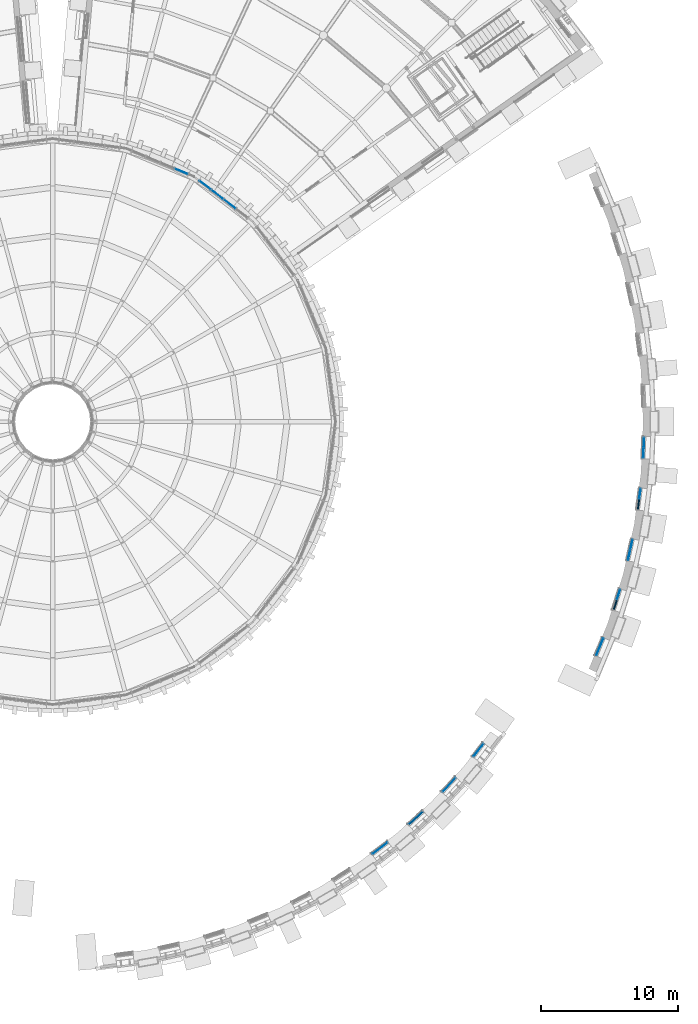
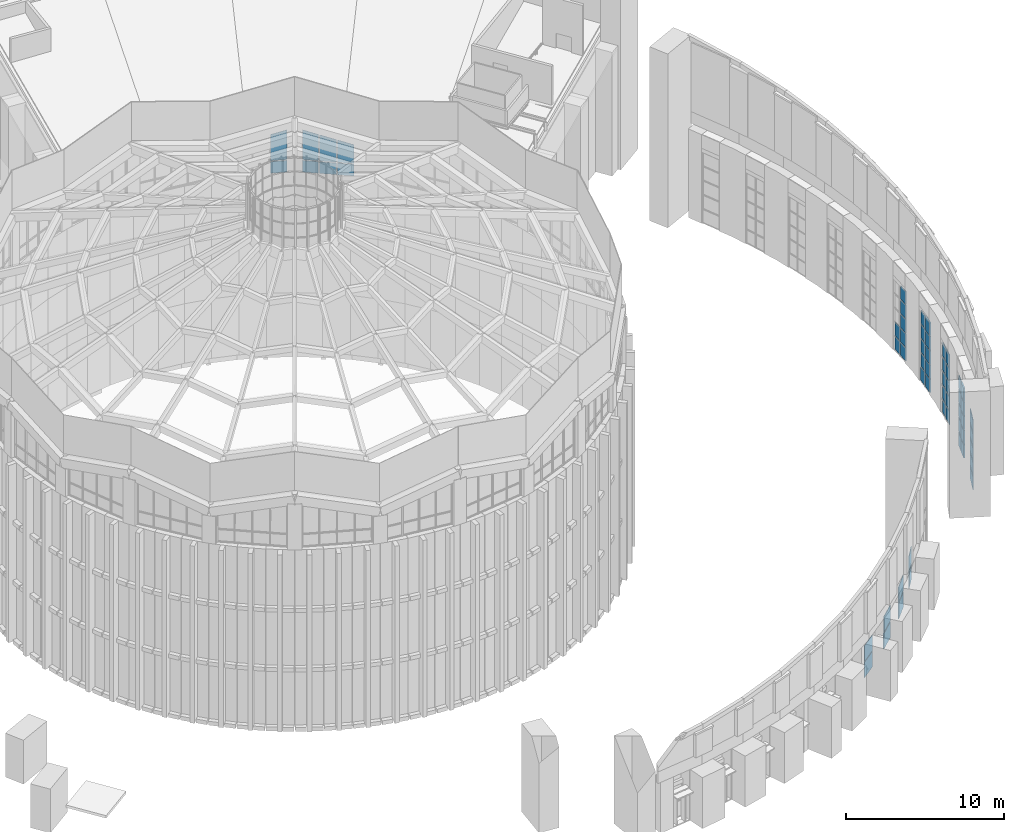
# One storey, part 45 of 82: 58 plates, 11 elements without a shape of their own.
"""IFC4 building model written with IfcOpenShell, lengths in metres."""

from ifc_helpers import new_model, si_unit, direction, frame, origin, origin_2d, place, context, subcontext, project, spatial, polyline, rectangle, outline, extrude, material, layer, layer_set, type_object, element, aggregate, save


model = new_model("IFC4")

# Units and contexts
model_context = context("Model", 3, precision=1e-05, world=origin(), true_north=direction((0.0, 1.0)))
body_context = subcontext(model_context, "Body", "Model", "MODEL_VIEW")
ifc_project = project(units=[si_unit("LENGTHUNIT", "METRE"), si_unit("AREAUNIT", "SQUARE_METRE"), si_unit("VOLUMEUNIT", "CUBIC_METRE"), si_unit("PLANEANGLEUNIT", "RADIAN"), si_unit("MASSUNIT", "GRAM", prefix="KILO")], contexts=[model_context])

# Site, building, storey
site_placement = place(None, origin())
site = spatial("IfcSite", under=ifc_project, at=site_placement, CompositionType="ELEMENT")
building_placement = place(site_placement, origin())
building = spatial("IfcBuilding", under=site, at=building_placement, Name="Volute Hill Aquarium", CompositionType="ELEMENT")
storey_placement = place(building_placement, frame((0.0, 0.0, 13.800048828125)))
storey = spatial("IfcBuildingStorey", under=building, at=storey_placement, Name="L04", CompositionType="ELEMENT", Elevation=13.800048828125)

# Curtain wall, plates
ifc_material_1 = material(Name="Aluminium", Category="aluminium")
ifc_layer_1 = layer(ifc_material_1, 0.25)
ifc_layer_set_1 = layer_set([ifc_layer_1], Name="Curtain wall niche S3 module 1489")
curtain_wall_type_1 = type_object("IfcCurtainWallType", Name="Curtain wall niche S3 module 1489", PredefinedType="NOTDEFINED", material=ifc_layer_set_1)
curtain_wall_1_placement = place(storey_placement, origin())
curtain_wall_1 = element("IfcCurtainWall", 1, at=curtain_wall_1_placement, inside=storey, type_object=curtain_wall_type_1, Name="Curtain wall CW S3 L04 7", PredefinedType="NOTDEFINED")
ifc_material_2 = material(Name="Glass, low-iron laminated", Category="glass")
ifc_layer_2 = layer(ifc_material_2, 0.035888671875)
ifc_layer_set_2 = layer_set([ifc_layer_2], Name="Curtain wall glass panel S3 36")
plate_type_1 = type_object("IfcPlateType", Name="Curtain wall glass panel S3 36", PredefinedType="CURTAIN_PANEL", material=ifc_layer_set_2)
plate_1_placement = place(storey_placement, frame((23.947021484375, -31.208251953125, 0.06005859375), z_axis=(0.0, 0.0, 1.0), x_axis=(0.793364531663, 0.608746843851, 0.0)))
plate_1 = element("IfcPlate", 2, at=plate_1_placement, type_object=plate_type_1, Name="CW panel 1.1", PredefinedType="CURTAIN_PANEL", context=body_context, shape_type="SweptSolid", body=[
    extrude(rectangle(XDim=1.369140625, YDim=0.035888671875, at=origin_2d()), origin(), (0.0, 0.0, 1.0), 1.20751953125),
])
plate_2_placement = place(storey_placement, frame((23.947021484375, -31.208251953125, 1.327392578125), z_axis=(0.0, 0.0, 1.0), x_axis=(0.793364531663, 0.608746843851, 0.0)))
plate_2 = element("IfcPlate", 3, at=plate_2_placement, type_object=plate_type_1, Name="CW panel 1.2", PredefinedType="CURTAIN_PANEL", context=body_context, shape_type="SweptSolid", body=[
    extrude(rectangle(XDim=1.369140625, YDim=0.035888671875, at=origin_2d()), origin(), (0.0, 0.0, 1.0), 1.20751953125),
])
aggregate(curtain_wall_1, [plate_1, plate_2])

# Curtain wall, plate
curtain_wall_2_placement = place(storey_placement, origin())
curtain_wall_2 = element("IfcCurtainWall", 4, at=curtain_wall_2_placement, inside=storey, type_object=curtain_wall_type_1, Name="Curtain wall CW S3 L04 8", PredefinedType="NOTDEFINED")
plate_3_placement = place(storey_placement, frame((26.57568359375, -29.00244140625, 1.327392578125), z_axis=(0.0, 0.0, 1.0), x_axis=(0.73725642731, 0.675613025622, 0.0)))
plate_3 = element("IfcPlate", 5, at=plate_3_placement, type_object=plate_type_1, Name="CW panel 1.2", PredefinedType="CURTAIN_PANEL", context=body_context, shape_type="SweptSolid", body=[
    extrude(rectangle(XDim=1.369140625, YDim=0.035888671875, at=origin_2d()), origin(), (0.0, 0.0, 1.0), 1.20751953125),
])

# Curtain wall, plates
curtain_wall_3_placement = place(storey_placement, origin())
curtain_wall_3 = element("IfcCurtainWall", 6, at=curtain_wall_3_placement, inside=storey, type_object=curtain_wall_type_1, Name="Curtain wall CW S3 L04 9", PredefinedType="NOTDEFINED")
plate_4_placement = place(storey_placement, frame((29.00244140625, -26.575927734375, 0.06005859375), z_axis=(0.0, 0.0, 1.0), x_axis=(0.675609375694, 0.737259772044, 0.0)))
plate_4 = element("IfcPlate", 7, at=plate_4_placement, type_object=plate_type_1, Name="CW panel 1.1", PredefinedType="CURTAIN_PANEL", context=body_context, shape_type="SweptSolid", body=[
    extrude(rectangle(XDim=1.369140625, YDim=0.035888671875, at=origin_2d()), origin(), (0.0, 0.0, 1.0), 1.213623046875),
])
plate_5_placement = place(storey_placement, frame((29.00244140625, -26.575927734375, 1.33349609375), z_axis=(0.0, 0.0, 1.0), x_axis=(0.675609375694, 0.737259772044, 0.0)))
plate_5 = element("IfcPlate", 8, at=plate_5_placement, type_object=plate_type_1, Name="CW panel 1.2", PredefinedType="CURTAIN_PANEL", context=body_context, shape_type="SweptSolid", body=[
    extrude(rectangle(XDim=1.369140625, YDim=0.035888671875, at=origin_2d()), origin(), (0.0, 0.0, 1.0), 1.213623046875),
])
aggregate(curtain_wall_3, [plate_4, plate_5])

# Curtain wall, plate
ifc_material_3 = material(Name="Aluminium", Category="aluminium")
ifc_layer_3 = layer(ifc_material_3, 0.25)
ifc_layer_set_3 = layer_set([ifc_layer_3], Name="Curtain wall niche S3 module 1289")
curtain_wall_type_2 = type_object("IfcCurtainWallType", Name="Curtain wall niche S3 module 1289", PredefinedType="NOTDEFINED", material=ifc_layer_set_3)
curtain_wall_4_placement = place(storey_placement, origin())
curtain_wall_4 = element("IfcCurtainWall", 9, at=curtain_wall_4_placement, inside=storey, type_object=curtain_wall_type_2, Name="Curtain wall CW S3 L04 10", PredefinedType="NOTDEFINED")
plate_6_placement = place(storey_placement, frame((31.1474609375, -24.0263671875, 1.32861328125), z_axis=(0.0, 0.0, 1.0), x_axis=(0.608745324064, 0.79336569779, 0.0)))
plate_6 = element("IfcPlate", 10, at=plate_6_placement, type_object=plate_type_1, Name="CW panel 1.2", PredefinedType="CURTAIN_PANEL", context=body_context, shape_type="SweptSolid", body=[
    extrude(rectangle(XDim=1.169189453125, YDim=0.035888671875, at=origin_2d()), origin(), (0.0, 0.0, 1.0), 1.20849609375),
])

# Curtain wall, plates
ifc_material_4 = material(Name="Aluminium", Category="aluminium")
ifc_layer_4 = layer(ifc_material_4, 0.25)
ifc_layer_set_4 = layer_set([ifc_layer_4], Name="Curtain wall niche S4 module 1437")
curtain_wall_type_3 = type_object("IfcCurtainWallType", Name="Curtain wall niche S4 module 1437", PredefinedType="NOTDEFINED", material=ifc_layer_set_4)
curtain_wall_5_placement = place(storey_placement, origin())
curtain_wall_5 = element("IfcCurtainWall", 11, at=curtain_wall_5_placement, inside=storey, type_object=curtain_wall_type_3, Name="Curtain wall CW S4 L04 1", PredefinedType="NOTDEFINED")
ifc_material_5 = material(Name="Glass, low-iron laminated", Category="glass")
ifc_layer_5 = layer(ifc_material_5, 0.0439453125)
ifc_layer_set_5 = layer_set([ifc_layer_5], Name="Curtain wall glass panel S4 44")
plate_type_2 = type_object("IfcPlateType", Name="Curtain wall glass panel S4 44", PredefinedType="CURTAIN_PANEL", material=ifc_layer_set_5)
plate_7_placement = place(storey_placement, frame((40.027099609375, -16.471435546875, 0.06005859375), z_axis=(0.0, 0.0, 1.0), x_axis=(0.38269714514, 0.923873852375, 0.0)))
plate_7 = element("IfcPlate", 12, at=plate_7_placement, type_object=plate_type_2, Name="CW panel 1.1", PredefinedType="CURTAIN_PANEL", context=body_context, shape_type="SweptSolid", body=[
    extrude(rectangle(XDim=1.317138671875, YDim=0.0439453125, at=origin_2d()), origin(), (0.0, 0.0, 1.0), 1.012451171875),
])
plate_8_placement = place(storey_placement, frame((40.027099609375, -16.471435546875, 1.132568359375), z_axis=(0.0, 0.0, 1.0), x_axis=(0.38269714514, 0.923873852375, 0.0)))
plate_8 = element("IfcPlate", 13, at=plate_8_placement, type_object=plate_type_2, Name="CW panel 1.2", PredefinedType="CURTAIN_PANEL", context=body_context, shape_type="SweptSolid", body=[
    extrude(rectangle(XDim=1.317138671875, YDim=0.0439453125, at=origin_2d()), origin(), (0.0, 0.0, 1.0), 1.04248046875),
])
plate_9_placement = place(storey_placement, frame((40.027099609375, -16.471435546875, 2.235107421875), z_axis=(0.0, 0.0, 1.0), x_axis=(0.38269714514, 0.923873852375, 0.0)))
plate_9 = element("IfcPlate", 14, at=plate_9_placement, type_object=plate_type_2, Name="CW panel 1.3", PredefinedType="CURTAIN_PANEL", context=body_context, shape_type="SweptSolid", body=[
    extrude(rectangle(XDim=1.317138671875, YDim=0.0439453125, at=origin_2d()), origin(), (0.0, 0.0, 1.0), 1.04248046875),
])
plate_10_placement = place(storey_placement, frame((40.027099609375, -16.471435546875, 3.337646484375), z_axis=(0.0, 0.0, 1.0), x_axis=(0.38269714514, 0.923873852375, 0.0)))
plate_10 = element("IfcPlate", 15, at=plate_10_placement, type_object=plate_type_2, Name="CW panel 1.4", PredefinedType="CURTAIN_PANEL", context=body_context, shape_type="SweptSolid", body=[
    extrude(rectangle(XDim=1.317138671875, YDim=0.0439453125, at=origin_2d()), origin(), (0.0, 0.0, 1.0), 1.04248046875),
])
plate_11_placement = place(storey_placement, frame((40.027099609375, -16.471435546875, 4.43994140625), z_axis=(0.0, 0.0, 1.0), x_axis=(0.38269714514, 0.923873852375, 0.0)))
plate_11 = element("IfcPlate", 16, at=plate_11_placement, type_object=plate_type_2, Name="CW panel 1.5", PredefinedType="CURTAIN_PANEL", context=body_context, shape_type="SweptSolid", body=[
    extrude(rectangle(XDim=1.317138671875, YDim=0.0439453125, at=origin_2d()), origin(), (0.0, 0.0, 1.0), 1.012451171875),
])
aggregate(curtain_wall_5, [plate_7, plate_8, plate_9, plate_10, plate_11])

ifc_material_6 = material(Name="Aluminium", Category="aluminium")
ifc_layer_6 = layer(ifc_material_6, 0.25)
ifc_layer_set_6 = layer_set([ifc_layer_6], Name="Curtain wall niche S4 module 819")
curtain_wall_type_4 = type_object("IfcCurtainWallType", Name="Curtain wall niche S4 module 819", PredefinedType="NOTDEFINED", material=ifc_layer_set_6)
curtain_wall_6_placement = place(storey_placement, origin())
curtain_wall_6 = element("IfcCurtainWall", 17, at=curtain_wall_6_placement, inside=storey, type_object=curtain_wall_type_4, Name="Curtain wall CW S4 L04 2", PredefinedType="NOTDEFINED")
plate_12_placement = place(storey_placement, frame((41.398681640625, -12.639404296875, 1.132080078125), z_axis=(0.0, 0.0, 1.0), x_axis=(0.300709576466, 0.953715759869, 0.0)))
plate_12 = element("IfcPlate", 18, at=plate_12_placement, type_object=plate_type_2, Name="CW panel 2.2", PredefinedType="CURTAIN_PANEL", context=body_context, shape_type="SweptSolid", body=[
    extrude(rectangle(XDim=0.728759765625, YDim=0.0439453125, at=origin_2d()), origin(), (0.0, 0.0, 1.0), 1.0419921875),
])
plate_13_placement = place(storey_placement, frame((41.398681640625, -12.639404296875, 2.234130859375), z_axis=(0.0, 0.0, 1.0), x_axis=(0.300709576466, 0.953715759869, 0.0)))
plate_13 = element("IfcPlate", 19, at=plate_13_placement, type_object=plate_type_2, Name="CW panel 2.3", PredefinedType="CURTAIN_PANEL", context=body_context, shape_type="SweptSolid", body=[
    extrude(rectangle(XDim=0.728759765625, YDim=0.0439453125, at=origin_2d()), origin(), (0.0, 0.0, 1.0), 1.0419921875),
])
plate_14_placement = place(storey_placement, frame((41.398681640625, -12.639404296875, 3.336181640625), z_axis=(0.0, 0.0, 1.0), x_axis=(0.300709576466, 0.953715759869, 0.0)))
plate_14 = element("IfcPlate", 20, at=plate_14_placement, type_object=plate_type_2, Name="CW panel 2.4", PredefinedType="CURTAIN_PANEL", context=body_context, shape_type="SweptSolid", body=[
    extrude(rectangle(XDim=0.728759765625, YDim=0.0439453125, at=origin_2d()), origin(), (0.0, 0.0, 1.0), 1.0419921875),
])
plate_15_placement = place(storey_placement, frame((41.398681640625, -12.639404296875, 4.4384765625), z_axis=(0.0, 0.0, 1.0), x_axis=(0.300709576466, 0.953715759869, 0.0)))
plate_15 = element("IfcPlate", 21, at=plate_15_placement, type_object=plate_type_2, Name="CW panel 2.5", PredefinedType="CURTAIN_PANEL", context=body_context, shape_type="SweptSolid", body=[
    extrude(rectangle(XDim=0.728759765625, YDim=0.0439453125, at=origin_2d()), origin(), (0.0, 0.0, 1.0), 1.011962890625),
])

curtain_wall_7_placement = place(storey_placement, origin())
curtain_wall_7 = element("IfcCurtainWall", 22, at=curtain_wall_7_placement, inside=storey, type_object=curtain_wall_type_4, Name="Curtain wall CW S4 L04 3", PredefinedType="NOTDEFINED")
plate_16_placement = place(storey_placement, frame((42.172119140625, -9.75341796875, 0.06005859375), z_axis=(0.0, 0.0, 1.0), x_axis=(0.216431869204, 0.976297724054, 0.0)))
plate_16 = element("IfcPlate", 23, at=plate_16_placement, type_object=plate_type_2, Name="CW panel 1.1", PredefinedType="CURTAIN_PANEL", context=body_context, shape_type="SweptSolid", body=[
    extrude(rectangle(XDim=0.728759765625, YDim=0.0439453125, at=origin_2d()), origin(), (0.0, 0.0, 1.0), 1.011962890625),
])
plate_17_placement = place(storey_placement, frame((42.172119140625, -9.75341796875, 1.132080078125), z_axis=(0.0, 0.0, 1.0), x_axis=(0.216431869204, 0.976297724054, 0.0)))
plate_17 = element("IfcPlate", 24, at=plate_17_placement, type_object=plate_type_2, Name="CW panel 1.2", PredefinedType="CURTAIN_PANEL", context=body_context, shape_type="SweptSolid", body=[
    extrude(rectangle(XDim=0.728759765625, YDim=0.0439453125, at=origin_2d()), origin(), (0.0, 0.0, 1.0), 1.0419921875),
])
plate_18_placement = place(storey_placement, frame((42.172119140625, -9.75341796875, 2.234130859375), z_axis=(0.0, 0.0, 1.0), x_axis=(0.216431869204, 0.976297724054, 0.0)))
plate_18 = element("IfcPlate", 25, at=plate_18_placement, type_object=plate_type_2, Name="CW panel 1.3", PredefinedType="CURTAIN_PANEL", context=body_context, shape_type="SweptSolid", body=[
    extrude(rectangle(XDim=0.728759765625, YDim=0.0439453125, at=origin_2d()), origin(), (0.0, 0.0, 1.0), 1.0419921875),
])
plate_19_placement = place(storey_placement, frame((42.172119140625, -9.75341796875, 3.336181640625), z_axis=(0.0, 0.0, 1.0), x_axis=(0.216431869204, 0.976297724054, 0.0)))
plate_19 = element("IfcPlate", 26, at=plate_19_placement, type_object=plate_type_2, Name="CW panel 1.4", PredefinedType="CURTAIN_PANEL", context=body_context, shape_type="SweptSolid", body=[
    extrude(rectangle(XDim=0.728759765625, YDim=0.0439453125, at=origin_2d()), origin(), (0.0, 0.0, 1.0), 1.0419921875),
])
plate_20_placement = place(storey_placement, frame((42.172119140625, -9.75341796875, 4.4384765625), z_axis=(0.0, 0.0, 1.0), x_axis=(0.216431869204, 0.976297724054, 0.0)))
plate_20 = element("IfcPlate", 27, at=plate_20_placement, type_object=plate_type_2, Name="CW panel 1.5", PredefinedType="CURTAIN_PANEL", context=body_context, shape_type="SweptSolid", body=[
    extrude(rectangle(XDim=0.728759765625, YDim=0.0439453125, at=origin_2d()), origin(), (0.0, 0.0, 1.0), 1.011962890625),
])
plate_21_placement = place(storey_placement, frame((42.3427734375, -8.9833984375, 0.06005859375), z_axis=(0.0, 0.0, 1.0), x_axis=(0.216431869204, 0.976297724054, 0.0)))
plate_21 = element("IfcPlate", 28, at=plate_21_placement, type_object=plate_type_2, Name="CW panel 2.1", PredefinedType="CURTAIN_PANEL", context=body_context, shape_type="SweptSolid", body=[
    extrude(rectangle(XDim=0.728759765625, YDim=0.0439453125, at=origin_2d()), origin(), (0.0, 0.0, 1.0), 1.011962890625),
])
plate_22_placement = place(storey_placement, frame((42.3427734375, -8.9833984375, 1.132080078125), z_axis=(0.0, 0.0, 1.0), x_axis=(0.216431869204, 0.976297724054, 0.0)))
plate_22 = element("IfcPlate", 29, at=plate_22_placement, type_object=plate_type_2, Name="CW panel 2.2", PredefinedType="CURTAIN_PANEL", context=body_context, shape_type="SweptSolid", body=[
    extrude(rectangle(XDim=0.728759765625, YDim=0.0439453125, at=origin_2d()), origin(), (0.0, 0.0, 1.0), 1.0419921875),
])
plate_23_placement = place(storey_placement, frame((42.3427734375, -8.9833984375, 2.234130859375), z_axis=(0.0, 0.0, 1.0), x_axis=(0.216431869204, 0.976297724054, 0.0)))
plate_23 = element("IfcPlate", 30, at=plate_23_placement, type_object=plate_type_2, Name="CW panel 2.3", PredefinedType="CURTAIN_PANEL", context=body_context, shape_type="SweptSolid", body=[
    extrude(rectangle(XDim=0.728759765625, YDim=0.0439453125, at=origin_2d()), origin(), (0.0, 0.0, 1.0), 1.0419921875),
])
plate_24_placement = place(storey_placement, frame((42.3427734375, -8.9833984375, 3.336181640625), z_axis=(0.0, 0.0, 1.0), x_axis=(0.216431869204, 0.976297724054, 0.0)))
plate_24 = element("IfcPlate", 31, at=plate_24_placement, type_object=plate_type_2, Name="CW panel 2.4", PredefinedType="CURTAIN_PANEL", context=body_context, shape_type="SweptSolid", body=[
    extrude(rectangle(XDim=0.728759765625, YDim=0.0439453125, at=origin_2d()), origin(), (0.0, 0.0, 1.0), 1.0419921875),
])
plate_25_placement = place(storey_placement, frame((42.3427734375, -8.9833984375, 4.4384765625), z_axis=(0.0, 0.0, 1.0), x_axis=(0.216431869204, 0.976297724054, 0.0)))
plate_25 = element("IfcPlate", 32, at=plate_25_placement, type_object=plate_type_2, Name="CW panel 2.5", PredefinedType="CURTAIN_PANEL", context=body_context, shape_type="SweptSolid", body=[
    extrude(rectangle(XDim=0.728759765625, YDim=0.0439453125, at=origin_2d()), origin(), (0.0, 0.0, 1.0), 1.011962890625),
])
aggregate(curtain_wall_7, [plate_16, plate_17, plate_18, plate_19, plate_20, plate_21, plate_22, plate_23, plate_24, plate_25])

curtain_wall_8_placement = place(storey_placement, origin())
curtain_wall_8 = element("IfcCurtainWall", 33, at=curtain_wall_8_placement, inside=storey, type_object=curtain_wall_type_4, Name="Curtain wall CW S4 L04 4", PredefinedType="NOTDEFINED")
plate_26_placement = place(storey_placement, frame((42.964599609375, -5.258544921875, 1.132080078125), z_axis=(0.0, 0.0, 1.0), x_axis=(0.130515808269, 0.991446228392, 0.0)))
plate_26 = element("IfcPlate", 34, at=plate_26_placement, type_object=plate_type_2, Name="CW panel 2.2", PredefinedType="CURTAIN_PANEL", context=body_context, shape_type="SweptSolid", body=[
    extrude(rectangle(XDim=0.728759765625, YDim=0.0439453125, at=origin_2d()), origin(), (0.0, 0.0, 1.0), 1.0419921875),
])
plate_27_placement = place(storey_placement, frame((42.964599609375, -5.258544921875, 2.234130859375), z_axis=(0.0, 0.0, 1.0), x_axis=(0.130515808269, 0.991446228392, 0.0)))
plate_27 = element("IfcPlate", 35, at=plate_27_placement, type_object=plate_type_2, Name="CW panel 2.3", PredefinedType="CURTAIN_PANEL", context=body_context, shape_type="SweptSolid", body=[
    extrude(rectangle(XDim=0.728759765625, YDim=0.0439453125, at=origin_2d()), origin(), (0.0, 0.0, 1.0), 1.0419921875),
])
plate_28_placement = place(storey_placement, frame((42.964599609375, -5.258544921875, 3.336181640625), z_axis=(0.0, 0.0, 1.0), x_axis=(0.130515808269, 0.991446228392, 0.0)))
plate_28 = element("IfcPlate", 36, at=plate_28_placement, type_object=plate_type_2, Name="CW panel 2.4", PredefinedType="CURTAIN_PANEL", context=body_context, shape_type="SweptSolid", body=[
    extrude(rectangle(XDim=0.728759765625, YDim=0.0439453125, at=origin_2d()), origin(), (0.0, 0.0, 1.0), 1.0419921875),
])
plate_29_placement = place(storey_placement, frame((42.964599609375, -5.258544921875, 4.4384765625), z_axis=(0.0, 0.0, 1.0), x_axis=(0.130515808269, 0.991446228392, 0.0)))
plate_29 = element("IfcPlate", 37, at=plate_29_placement, type_object=plate_type_2, Name="CW panel 2.5", PredefinedType="CURTAIN_PANEL", context=body_context, shape_type="SweptSolid", body=[
    extrude(rectangle(XDim=0.728759765625, YDim=0.0439453125, at=origin_2d()), origin(), (0.0, 0.0, 1.0), 1.011962890625),
])

curtain_wall_9_placement = place(storey_placement, origin())
curtain_wall_9 = element("IfcCurtainWall", 38, at=curtain_wall_9_placement, inside=storey, type_object=curtain_wall_type_4, Name="Curtain wall CW S4 L04 5", PredefinedType="NOTDEFINED")
plate_30_placement = place(storey_placement, frame((43.22509765625, -2.281982421875, 0.06005859375), z_axis=(0.0, 0.0, 1.0), x_axis=(0.043616644488, 0.999048341335, 0.0)))
plate_30 = element("IfcPlate", 39, at=plate_30_placement, type_object=plate_type_2, Name="CW panel 1.1", PredefinedType="CURTAIN_PANEL", context=body_context, shape_type="SweptSolid", body=[
    extrude(rectangle(XDim=0.728759765625, YDim=0.0439453125, at=origin_2d()), origin(), (0.0, 0.0, 1.0), 1.011962890625),
])
plate_31_placement = place(storey_placement, frame((43.22509765625, -2.281982421875, 1.132080078125), z_axis=(0.0, 0.0, 1.0), x_axis=(0.043616644488, 0.999048341335, 0.0)))
plate_31 = element("IfcPlate", 40, at=plate_31_placement, type_object=plate_type_2, Name="CW panel 1.2", PredefinedType="CURTAIN_PANEL", context=body_context, shape_type="SweptSolid", body=[
    extrude(rectangle(XDim=0.728759765625, YDim=0.0439453125, at=origin_2d()), origin(), (0.0, 0.0, 1.0), 1.0419921875),
])
plate_32_placement = place(storey_placement, frame((43.22509765625, -2.281982421875, 2.234130859375), z_axis=(0.0, 0.0, 1.0), x_axis=(0.043616644488, 0.999048341335, 0.0)))
plate_32 = element("IfcPlate", 41, at=plate_32_placement, type_object=plate_type_2, Name="CW panel 1.3", PredefinedType="CURTAIN_PANEL", context=body_context, shape_type="SweptSolid", body=[
    extrude(rectangle(XDim=0.728759765625, YDim=0.0439453125, at=origin_2d()), origin(), (0.0, 0.0, 1.0), 1.0419921875),
])
plate_33_placement = place(storey_placement, frame((43.22509765625, -2.281982421875, 3.336181640625), z_axis=(0.0, 0.0, 1.0), x_axis=(0.043616644488, 0.999048341335, 0.0)))
plate_33 = element("IfcPlate", 42, at=plate_33_placement, type_object=plate_type_2, Name="CW panel 1.4", PredefinedType="CURTAIN_PANEL", context=body_context, shape_type="SweptSolid", body=[
    extrude(rectangle(XDim=0.728759765625, YDim=0.0439453125, at=origin_2d()), origin(), (0.0, 0.0, 1.0), 1.0419921875),
])
plate_34_placement = place(storey_placement, frame((43.22509765625, -2.281982421875, 4.4384765625), z_axis=(0.0, 0.0, 1.0), x_axis=(0.043616644488, 0.999048341335, 0.0)))
plate_34 = element("IfcPlate", 43, at=plate_34_placement, type_object=plate_type_2, Name="CW panel 1.5", PredefinedType="CURTAIN_PANEL", context=body_context, shape_type="SweptSolid", body=[
    extrude(rectangle(XDim=0.728759765625, YDim=0.0439453125, at=origin_2d()), origin(), (0.0, 0.0, 1.0), 1.011962890625),
])
plate_35_placement = place(storey_placement, frame((43.259521484375, -1.493896484375, 0.06005859375), z_axis=(0.0, 0.0, 1.0), x_axis=(0.043616644488, 0.999048341335, 0.0)))
plate_35 = element("IfcPlate", 44, at=plate_35_placement, type_object=plate_type_2, Name="CW panel 2.1", PredefinedType="CURTAIN_PANEL", context=body_context, shape_type="SweptSolid", body=[
    extrude(rectangle(XDim=0.728759765625, YDim=0.0439453125, at=origin_2d()), origin(), (0.0, 0.0, 1.0), 1.011962890625),
])
plate_36_placement = place(storey_placement, frame((43.259521484375, -1.493896484375, 1.132080078125), z_axis=(0.0, 0.0, 1.0), x_axis=(0.043616644488, 0.999048341335, 0.0)))
plate_36 = element("IfcPlate", 45, at=plate_36_placement, type_object=plate_type_2, Name="CW panel 2.2", PredefinedType="CURTAIN_PANEL", context=body_context, shape_type="SweptSolid", body=[
    extrude(rectangle(XDim=0.728759765625, YDim=0.0439453125, at=origin_2d()), origin(), (0.0, 0.0, 1.0), 1.0419921875),
])
aggregate(curtain_wall_9, [plate_30, plate_31, plate_32, plate_33, plate_34, plate_35, plate_36])

ifc_material_7 = material(Name="Aluminium", Category="aluminium")
ifc_layer_7 = layer(ifc_material_7, 0.219970703125)
ifc_layer_set_7 = layer_set([ifc_layer_7], Name="Curtain wall DR clerestory module 1134")
curtain_wall_type_5 = type_object("IfcCurtainWallType", Name="Curtain wall DR clerestory module 1134", PredefinedType="NOTDEFINED", material=ifc_layer_set_7)
curtain_wall_10_placement = place(storey_placement, origin())
curtain_wall_10 = element("IfcCurtainWall", 46, at=curtain_wall_10_placement, inside=storey, type_object=curtain_wall_type_5, Name="Curtain wall CW DR clerestory c03", PredefinedType="NOTDEFINED")
ifc_material_8 = material(Name="Glass, low-iron laminated", Category="glass")
ifc_layer_8 = layer(ifc_material_8, 0.035888671875)
ifc_layer_set_8 = layer_set([ifc_layer_8], Name="Curtain wall glass panel clerestory 36")
plate_type_3 = type_object("IfcPlateType", Name="Curtain wall glass panel clerestory 36", PredefinedType="CURTAIN_PANEL", material=ifc_layer_set_8)
plate_37_placement = place(storey_placement, frame((12.943359375, 15.936767578125, 13.77001953125), z_axis=(0.0, 0.0, 1.0), x_axis=(-0.793354013303, 0.608760551921, 0.0)))
plate_37 = element("IfcPlate", 47, at=plate_37_placement, type_object=plate_type_3, Name="Panel DR clerestory 2.1", PredefinedType="CURTAIN_PANEL", context=body_context, shape_type="SweptSolid", body=[
    extrude(rectangle(XDim=1.06396484375, YDim=0.035888671875, at=origin_2d()), origin(), (0.0, 0.0, 1.0), 0.89501953125),
])
plate_38_placement = place(storey_placement, frame((13.37646484375, 15.626953125, 14.73486328125), z_axis=(0.608701247669, 0.793399515431, 0.0), x_axis=(-0.793399515431, 0.608701247669, 0.0)))
plate_38 = element("IfcPlate", 48, at=plate_38_placement, type_object=plate_type_3, Name="Panel DR clerestory 2.2", PredefinedType="CURTAIN_PANEL", context=body_context, shape_type="SweptSolid", body=[
    extrude(outline(polyline([(0.0, 0.0), (1.0640771324283154, 0.0), (1.0640771324283154, 1.7133789062500004), (0.0, 1.4377441406250002), (0.0, 0.0)])), origin(), (0.0, 0.0, -1.0), 0.035888671875),
])
plate_39_placement = place(storey_placement, frame((12.043701171875, 16.626953125, 13.77001953125), z_axis=(0.0, 0.0, 1.0), x_axis=(-0.793354013303, 0.608760551921, 0.0)))
plate_39 = element("IfcPlate", 49, at=plate_39_placement, type_object=plate_type_3, Name="Panel DR clerestory 3.1", PredefinedType="CURTAIN_PANEL", context=body_context, shape_type="SweptSolid", body=[
    extrude(rectangle(XDim=1.06396484375, YDim=0.035888671875, at=origin_2d()), origin(), (0.0, 0.0, 1.0), 0.89501953125),
])
plate_40_placement = place(storey_placement, frame((12.476806640625, 16.3173828125, 14.73486328125), z_axis=(0.608701247669, 0.793399515431, 0.0), x_axis=(-0.793399515431, 0.608701247669, 0.0)))
plate_40 = element("IfcPlate", 50, at=plate_40_placement, type_object=plate_type_3, Name="Panel DR clerestory 3.2", PredefinedType="CURTAIN_PANEL", context=body_context, shape_type="SweptSolid", body=[
    extrude(outline(polyline([(0.0, 0.0), (1.0640771324283154, 0.0), (1.0640771324283154, 2.0070800781250004), (0.0, 1.7314453125000004), (0.0, 0.0)])), origin(), (0.0, 0.0, -1.0), 0.035888671875),
])
plate_41_placement = place(storey_placement, frame((11.157958984375, 17.306640625, 13.77001953125), z_axis=(0.0, 0.0, 1.0), x_axis=(-0.793354013303, 0.608760551921, 0.0)))
plate_41 = element("IfcPlate", 51, at=plate_41_placement, type_object=plate_type_3, Name="Panel DR clerestory 4.1", PredefinedType="CURTAIN_PANEL", context=body_context, shape_type="SweptSolid", body=[
    extrude(rectangle(XDim=1.029052734375, YDim=0.035888671875, at=origin_2d()), origin(), (0.0, 0.0, 1.0), 0.89501953125),
])
plate_42_placement = place(storey_placement, frame((11.5771484375, 17.008056640625, 14.73486328125), z_axis=(0.608620818261, 0.793461214918, 0.0), x_axis=(-0.793461214918, 0.608620818261, 0.0)))
plate_42 = element("IfcPlate", 52, at=plate_42_placement, type_object=plate_type_3, Name="Panel DR clerestory 4.2", PredefinedType="CURTAIN_PANEL", context=body_context, shape_type="SweptSolid", body=[
    extrude(outline(polyline([(0.0, 0.0), (1.0289176517396483, 0.0), (1.0289176517396483, 2.291748046875), (0.0, 2.025146484375), (0.0, 0.0)])), origin(), (0.0, 0.0, -1.0), 0.035888671875),
])
aggregate(curtain_wall_10, [plate_37, plate_38, plate_39, plate_40, plate_41, plate_42])

curtain_wall_11_placement = place(storey_placement, origin())
curtain_wall_11 = element("IfcCurtainWall", 53, at=curtain_wall_11_placement, inside=storey, type_object=curtain_wall_type_5, Name="Curtain wall CW DR clerestory c04", PredefinedType="NOTDEFINED")
plate_43_placement = place(storey_placement, frame((9.4091796875, 18.31640625, 13.77001953125), z_axis=(0.0, 0.0, 1.0), x_axis=(-0.923874284426, 0.382696102118, 0.0)))
plate_43 = element("IfcPlate", 54, at=plate_43_placement, type_object=plate_type_3, Name="Panel DR clerestory 1.1", PredefinedType="CURTAIN_PANEL", context=body_context, shape_type="SweptSolid", body=[
    extrude(rectangle(XDim=1.029052734375, YDim=0.035888671875, at=origin_2d()), origin(), (0.0, 0.0, 1.0), 0.89501953125),
])
plate_44_placement = place(storey_placement, frame((9.891357421875, 18.13623046875, 14.73486328125), z_axis=(0.382694041496, 0.923875137994, 0.0), x_axis=(-0.923875137994, 0.382694041496, 0.0)))
plate_44 = element("IfcPlate", 55, at=plate_44_placement, type_object=plate_type_3, Name="Panel DR clerestory 1.2", PredefinedType="CURTAIN_PANEL", context=body_context, shape_type="SweptSolid", body=[
    extrude(outline(polyline([(0.0, 0.0), (1.029017401435971, 0.0), (1.029017401435971, 2.0251464843750004), (0.0, 2.2917480468750004), (0.0, 0.0)])), origin(), (0.0, 0.0, -1.0), 0.035888671875),
])
aggregate(curtain_wall_11, [plate_43, plate_44])

# Plate
ifc_material_9 = material(Name="Aluminium", Category="aluminium")
ifc_layer_9 = layer(ifc_material_9, 0.10009765625)
ifc_layer_set_9 = layer_set([ifc_layer_9], Name="Curtain wall insulated spandrel panel 100")
plate_type_4 = type_object("IfcPlateType", Name="Curtain wall insulated spandrel panel 100", PredefinedType="CURTAIN_PANEL", material=ifc_layer_set_9)
plate_45_placement = place(storey_placement, frame((41.16162109375, -13.391845703125, 0.06005859375), z_axis=(0.0, 0.0, 1.0), x_axis=(0.300709576466, 0.953715759869, 0.0)))
plate_45 = element("IfcPlate", 56, at=plate_45_placement, type_object=plate_type_4, Name="CW panel 1.1", PredefinedType="CURTAIN_PANEL", context=body_context, shape_type="SweptSolid", body=[
    extrude(rectangle(XDim=0.728759765625, YDim=0.10009765625, at=origin_2d()), origin(), (0.0, 0.0, 1.0), 1.011962890625),
])

plate_46_placement = place(storey_placement, frame((41.16162109375, -13.391845703125, 1.132080078125), z_axis=(0.0, 0.0, 1.0), x_axis=(0.300709576466, 0.953715759869, 0.0)))
plate_46 = element("IfcPlate", 57, at=plate_46_placement, type_object=plate_type_4, Name="CW panel 1.2", PredefinedType="CURTAIN_PANEL", context=body_context, shape_type="SweptSolid", body=[
    extrude(rectangle(XDim=0.728759765625, YDim=0.10009765625, at=origin_2d()), origin(), (0.0, 0.0, 1.0), 1.0419921875),
])

plate_47_placement = place(storey_placement, frame((41.16162109375, -13.391845703125, 2.234130859375), z_axis=(0.0, 0.0, 1.0), x_axis=(0.300709576466, 0.953715759869, 0.0)))
plate_47 = element("IfcPlate", 58, at=plate_47_placement, type_object=plate_type_4, Name="CW panel 1.3", PredefinedType="CURTAIN_PANEL", context=body_context, shape_type="SweptSolid", body=[
    extrude(rectangle(XDim=0.728759765625, YDim=0.10009765625, at=origin_2d()), origin(), (0.0, 0.0, 1.0), 1.0419921875),
])

plate_48_placement = place(storey_placement, frame((41.16162109375, -13.391845703125, 3.336181640625), z_axis=(0.0, 0.0, 1.0), x_axis=(0.300709576466, 0.953715759869, 0.0)))
plate_48 = element("IfcPlate", 59, at=plate_48_placement, type_object=plate_type_4, Name="CW panel 1.4", PredefinedType="CURTAIN_PANEL", context=body_context, shape_type="SweptSolid", body=[
    extrude(rectangle(XDim=0.728759765625, YDim=0.10009765625, at=origin_2d()), origin(), (0.0, 0.0, 1.0), 1.0419921875),
])

plate_49_placement = place(storey_placement, frame((41.16162109375, -13.391845703125, 4.4384765625), z_axis=(0.0, 0.0, 1.0), x_axis=(0.300709576466, 0.953715759869, 0.0)))
plate_49 = element("IfcPlate", 60, at=plate_49_placement, type_object=plate_type_4, Name="CW panel 1.5", PredefinedType="CURTAIN_PANEL", context=body_context, shape_type="SweptSolid", body=[
    extrude(rectangle(XDim=0.728759765625, YDim=0.10009765625, at=origin_2d()), origin(), (0.0, 0.0, 1.0), 1.011962890625),
])

plate_50_placement = place(storey_placement, frame((41.398681640625, -12.639404296875, 0.06005859375), z_axis=(0.0, 0.0, 1.0), x_axis=(0.300709576466, 0.953715759869, 0.0)))
plate_50 = element("IfcPlate", 61, at=plate_50_placement, type_object=plate_type_4, Name="CW panel 2.1", PredefinedType="CURTAIN_PANEL", context=body_context, shape_type="SweptSolid", body=[
    extrude(rectangle(XDim=0.728759765625, YDim=0.10009765625, at=origin_2d()), origin(), (0.0, 0.0, 1.0), 1.011962890625),
])

aggregate(curtain_wall_6, [plate_45, plate_46, plate_47, plate_48, plate_49, plate_50, plate_12, plate_13, plate_14, plate_15])

plate_51_placement = place(storey_placement, frame((42.86181640625, -6.04052734375, 0.06005859375), z_axis=(0.0, 0.0, 1.0), x_axis=(0.130515808269, 0.991446228392, 0.0)))
plate_51 = element("IfcPlate", 62, at=plate_51_placement, type_object=plate_type_4, Name="CW panel 1.1", PredefinedType="CURTAIN_PANEL", context=body_context, shape_type="SweptSolid", body=[
    extrude(rectangle(XDim=0.728759765625, YDim=0.10009765625, at=origin_2d()), origin(), (0.0, 0.0, 1.0), 1.011962890625),
])

plate_52_placement = place(storey_placement, frame((42.86181640625, -6.04052734375, 1.132080078125), z_axis=(0.0, 0.0, 1.0), x_axis=(0.130515808269, 0.991446228392, 0.0)))
plate_52 = element("IfcPlate", 63, at=plate_52_placement, type_object=plate_type_4, Name="CW panel 1.2", PredefinedType="CURTAIN_PANEL", context=body_context, shape_type="SweptSolid", body=[
    extrude(rectangle(XDim=0.728759765625, YDim=0.10009765625, at=origin_2d()), origin(), (0.0, 0.0, 1.0), 1.0419921875),
])

plate_53_placement = place(storey_placement, frame((42.86181640625, -6.04052734375, 2.234130859375), z_axis=(0.0, 0.0, 1.0), x_axis=(0.130515808269, 0.991446228392, 0.0)))
plate_53 = element("IfcPlate", 64, at=plate_53_placement, type_object=plate_type_4, Name="CW panel 1.3", PredefinedType="CURTAIN_PANEL", context=body_context, shape_type="SweptSolid", body=[
    extrude(rectangle(XDim=0.728759765625, YDim=0.10009765625, at=origin_2d()), origin(), (0.0, 0.0, 1.0), 1.0419921875),
])

plate_54_placement = place(storey_placement, frame((42.86181640625, -6.04052734375, 3.336181640625), z_axis=(0.0, 0.0, 1.0), x_axis=(0.130515808269, 0.991446228392, 0.0)))
plate_54 = element("IfcPlate", 65, at=plate_54_placement, type_object=plate_type_4, Name="CW panel 1.4", PredefinedType="CURTAIN_PANEL", context=body_context, shape_type="SweptSolid", body=[
    extrude(rectangle(XDim=0.728759765625, YDim=0.10009765625, at=origin_2d()), origin(), (0.0, 0.0, 1.0), 1.0419921875),
])

plate_55_placement = place(storey_placement, frame((42.86181640625, -6.04052734375, 4.4384765625), z_axis=(0.0, 0.0, 1.0), x_axis=(0.130515808269, 0.991446228392, 0.0)))
plate_55 = element("IfcPlate", 66, at=plate_55_placement, type_object=plate_type_4, Name="CW panel 1.5", PredefinedType="CURTAIN_PANEL", context=body_context, shape_type="SweptSolid", body=[
    extrude(rectangle(XDim=0.728759765625, YDim=0.10009765625, at=origin_2d()), origin(), (0.0, 0.0, 1.0), 1.011962890625),
])

plate_56_placement = place(storey_placement, frame((42.964599609375, -5.258544921875, 0.06005859375), z_axis=(0.0, 0.0, 1.0), x_axis=(0.130515808269, 0.991446228392, 0.0)))
plate_56 = element("IfcPlate", 67, at=plate_56_placement, type_object=plate_type_4, Name="CW panel 2.1", PredefinedType="CURTAIN_PANEL", context=body_context, shape_type="SweptSolid", body=[
    extrude(rectangle(XDim=0.728759765625, YDim=0.10009765625, at=origin_2d()), origin(), (0.0, 0.0, 1.0), 1.011962890625),
])

aggregate(curtain_wall_8, [plate_51, plate_52, plate_53, plate_54, plate_55, plate_56, plate_26, plate_27, plate_28, plate_29])

ifc_material_10 = material(Name="Aluminium", Category="aluminium")
ifc_layer_10 = layer(ifc_material_10, 0.06005859375)
ifc_layer_set_10 = layer_set([ifc_layer_10], Name="Curtain wall insulated spandrel panel 60")
plate_type_5 = type_object("IfcPlateType", Name="Curtain wall insulated spandrel panel 60", PredefinedType="CURTAIN_PANEL", material=ifc_layer_set_10)
plate_57_placement = place(storey_placement, frame((26.57568359375, -29.00244140625, 0.06005859375), z_axis=(0.0, 0.0, 1.0), x_axis=(0.73725642731, 0.675613025622, 0.0)))
plate_57 = element("IfcPlate", 68, at=plate_57_placement, type_object=plate_type_5, Name="CW panel 1.1", PredefinedType="CURTAIN_PANEL", context=body_context, shape_type="SweptSolid", body=[
    extrude(rectangle(XDim=1.369140625, YDim=0.06005859375, at=origin_2d()), origin(), (0.0, 0.0, 1.0), 1.20751953125),
])

aggregate(curtain_wall_2, [plate_57, plate_3])

plate_58_placement = place(storey_placement, frame((31.1474609375, -24.0263671875, 0.06005859375), z_axis=(0.0, 0.0, 1.0), x_axis=(0.608745324064, 0.79336569779, 0.0)))
plate_58 = element("IfcPlate", 69, at=plate_58_placement, type_object=plate_type_5, Name="CW panel 1.1", PredefinedType="CURTAIN_PANEL", context=body_context, shape_type="SweptSolid", body=[
    extrude(rectangle(XDim=1.169189453125, YDim=0.06005859375, at=origin_2d()), origin(), (0.0, 0.0, 1.0), 1.20849609375),
])

aggregate(curtain_wall_4, [plate_58, plate_6])

save(model, "model.ifc")
